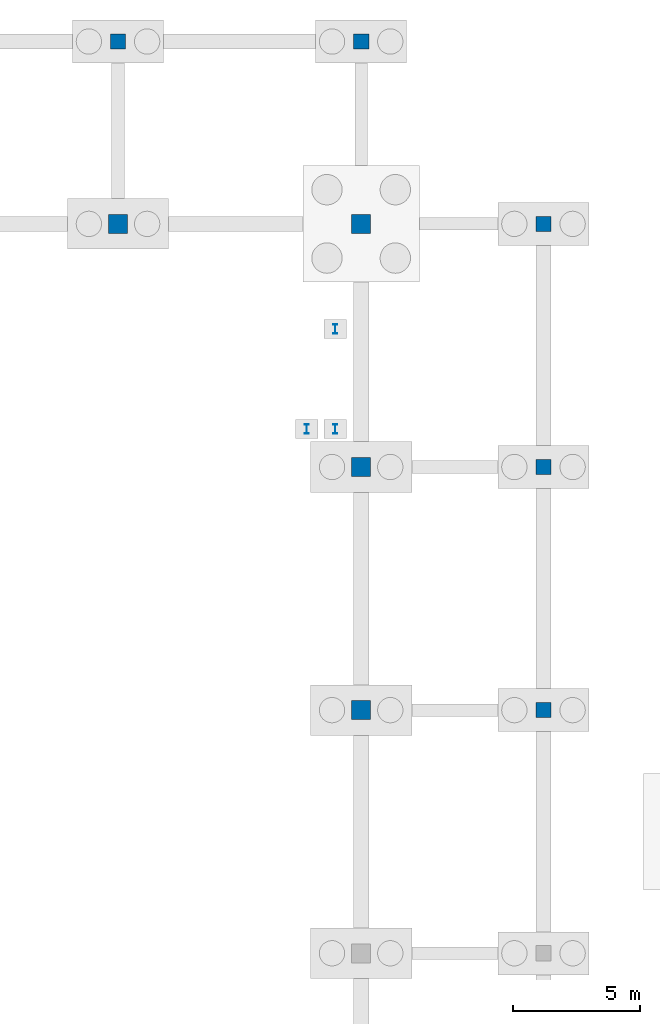
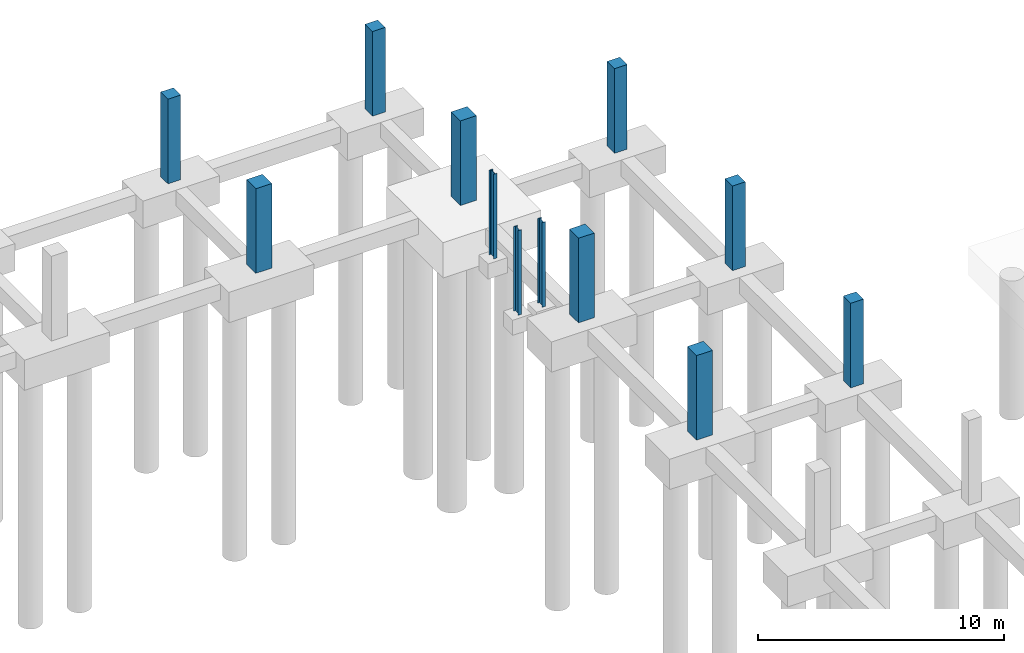
# One storey, part 36 of 54: 12 columns.
"""IFC4 building model written with IfcOpenShell, lengths in metres."""

from ifc_helpers import new_model, si_unit, direction, frame, origin, origin_2d, place, context, subcontext, project, spatial, rectangle, i_section, extrude, material, material_profile, profile_set, type_object, element, save


model = new_model("IFC4")

# Units and contexts
model_context = context("Model", 3, precision=1e-05, world=origin(), true_north=direction((0.0, 1.0)))
body_context = subcontext(model_context, "Body", "Model", "MODEL_VIEW")
ifc_project = project(units=[si_unit("LENGTHUNIT", "METRE"), si_unit("AREAUNIT", "SQUARE_METRE"), si_unit("VOLUMEUNIT", "CUBIC_METRE"), si_unit("PLANEANGLEUNIT", "RADIAN"), si_unit("MASSUNIT", "GRAM", prefix="KILO")], contexts=[model_context])

# Site, building, storey
site_placement = place(None, origin())
site = spatial("IfcSite", under=ifc_project, at=site_placement, CompositionType="ELEMENT")
building_placement = place(site_placement, origin())
building = spatial("IfcBuilding", under=site, at=building_placement, Name="Zevrakil Square Congress Hotel", CompositionType="ELEMENT")
storey_placement = place(building_placement, frame((0.0, 0.0, -8.39990234375)))
storey = spatial("IfcBuildingStorey", under=building, at=storey_placement, Name="B2", CompositionType="ELEMENT", Elevation=-8.39990234375)

# Columns
ifc_material_1 = material(Name="Steel S355", Category="steel")
ifc_material_profile_1 = material_profile(ifc_material_1, i_section(OverallWidth=0.169921875, OverallDepth=0.360107421875, WebThickness=0.008056640625, FlangeThickness=0.0126953125, FilletRadius=0.01806640625, at=origin_2d()), Name="IPE 360")
ifc_profile_set_1 = profile_set([ifc_material_profile_1], Name="Steel S355")
column_type_1 = type_object("IfcColumnType", Name="COL-PILASTER-SHS180", PredefinedType="PILASTER", material=ifc_profile_set_1)
for number, where, z_axis, x_axis, name in (
    (1, (163.449951171875, 104.699951171875, 0.0), (0.0, 0.0, 1.0), (1.0, 0.0, 0.0), "B2 ST10 stair shaft post 1"),
    (2, (164.580078125, 104.699951171875, 0.0), (0.0, 0.0, 1.0), (1.0, 0.0, 0.0), "B2 ST10 stair shaft post 2"),
    (3, (164.580078125, 108.64990234375, 0.0), (0.0, 0.0, 1.0), (1.0, 0.0, 0.0), "B2 ST10 stair shaft post 3"),
):
    element("IfcColumn", number, at=place(storey_placement, frame(where, z_axis=z_axis, x_axis=x_axis)), inside=storey, type_object=column_type_1, Name=name, PredefinedType="PILASTER", context=body_context, shape_type="SweptSolid", body=[
        extrude(i_section(OverallWidth=0.169921875, OverallDepth=0.360107421875, WebThickness=0.008056640625, FlangeThickness=0.0126953125, FilletRadius=0.01806640625, at=origin_2d()), origin(), (0.0, 0.0, 1.0), 4.199951171875),
    ])
ifc_material_2 = material(Name="Concrete C40/50", Category="concrete")
ifc_material_profile_2 = material_profile(ifc_material_2, rectangle(XDim=0.60009765625, YDim=0.60009765625, at=origin_2d()), Name="RC 600x600")
ifc_profile_set_2 = profile_set([ifc_material_profile_2], Name="Concrete C40/50")
column_type_2 = type_object("IfcColumnType", Name="COL-RC600", PredefinedType="COLUMN", material=ifc_profile_set_2)
for number, where, z_axis, x_axis, name in (
    (4, (156.0, 120.0, 0.0), (0.0, 0.0, 1.0), (1.0, 0.0, 0.0), "B2 column C-228"),
    (5, (165.60009765625, 120.0, 0.0), (0.0, 0.0, 1.0), (1.0, 0.0, 0.0), "B2 column C-241"),
    (6, (172.800048828125, 93.60009765625, 0.0), (0.0, 0.0, 1.0), (1.0, 0.0, 0.0), "B2 column C-252"),
    (7, (172.800048828125, 103.199951171875, 0.0), (0.0, 0.0, 1.0), (1.0, 0.0, 0.0), "B2 column C-253"),
    (8, (172.800048828125, 112.800048828125, 0.0), (0.0, 0.0, 1.0), (1.0, 0.0, 0.0), "B2 column C-254"),
):
    element("IfcColumn", number, at=place(storey_placement, frame(where, z_axis=z_axis, x_axis=x_axis)), inside=storey, type_object=column_type_2, Name=name, PredefinedType="COLUMN", context=body_context, shape_type="SweptSolid", body=[
        extrude(rectangle(XDim=0.60009765625, YDim=0.60009765625, at=origin_2d()), origin(), (0.0, 0.0, 1.0), 4.199951171875),
    ])
ifc_material_3 = material(Name="Concrete C40/50", Category="concrete")
ifc_material_profile_3 = material_profile(ifc_material_3, rectangle(XDim=0.75, YDim=0.75, at=origin_2d()), Name="RC 750x750")
ifc_profile_set_3 = profile_set([ifc_material_profile_3], Name="Concrete C40/50")
column_type_3 = type_object("IfcColumnType", Name="COL-RC750", PredefinedType="COLUMN", material=ifc_profile_set_3)
for number, where, z_axis, x_axis, name in (
    (9, (156.0, 112.800048828125, 0.0), (0.0, 0.0, 1.0), (1.0, 0.0, 0.0), "B2 column C-227"),
    (10, (165.60009765625, 93.60009765625, 0.0), (0.0, 0.0, 1.0), (1.0, 0.0, 0.0), "B2 column C-238"),
    (11, (165.60009765625, 103.199951171875, 0.0), (0.0, 0.0, 1.0), (1.0, 0.0, 0.0), "B2 column C-239"),
    (12, (165.60009765625, 112.800048828125, 0.0), (0.0, 0.0, 1.0), (1.0, 0.0, 0.0), "B2 column C-240"),
):
    element("IfcColumn", number, at=place(storey_placement, frame(where, z_axis=z_axis, x_axis=x_axis)), inside=storey, type_object=column_type_3, Name=name, PredefinedType="COLUMN", context=body_context, shape_type="SweptSolid", body=[
        extrude(rectangle(XDim=0.75, YDim=0.75, at=origin_2d()), origin(), (0.0, 0.0, 1.0), 4.199951171875),
    ])

save(model, "model.ifc")
